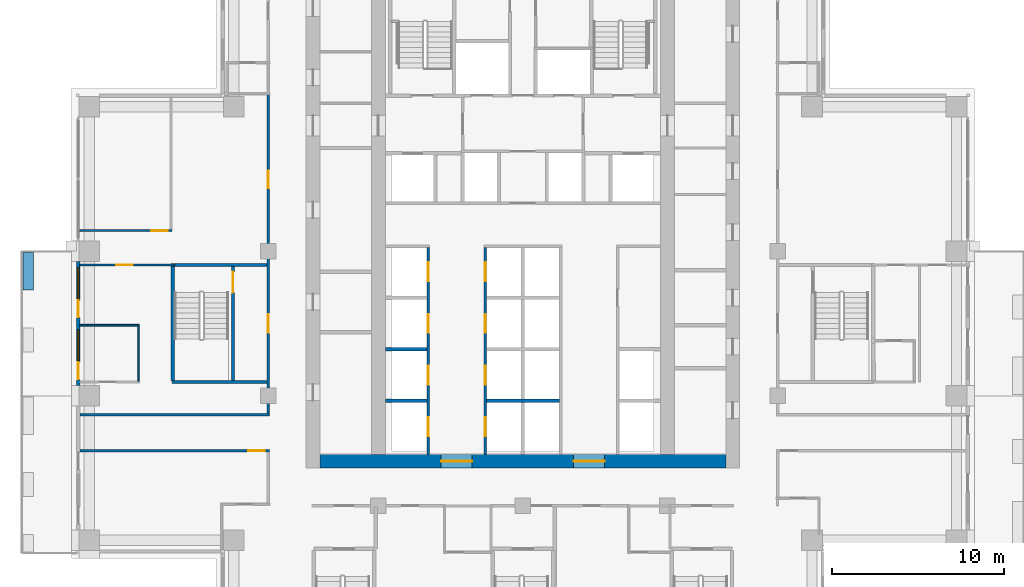
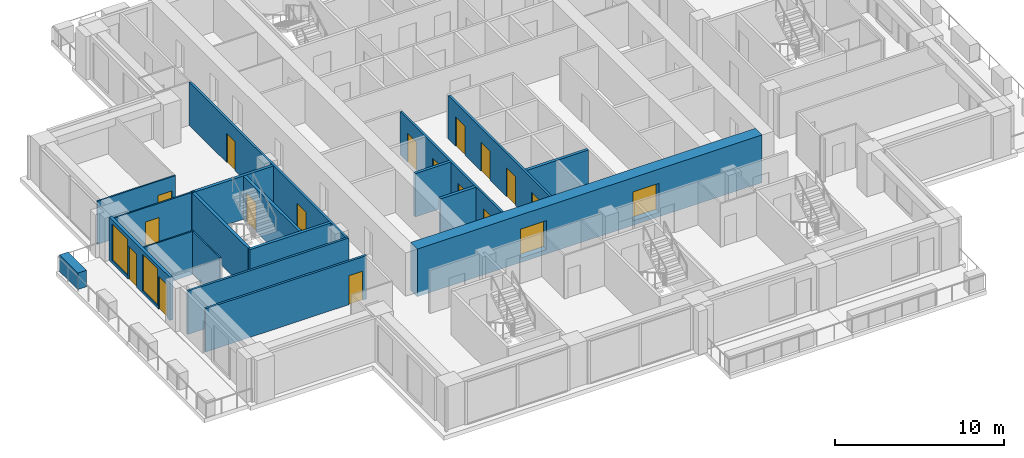
# One storey, part 9 of 18: 19 walls, 18 doors, 2 windows, 20 openings.
"""IFC4 building model written with IfcOpenShell, lengths in metres."""

from ifc_helpers import new_model, si_unit, direction, frame, frame_2d, origin, place, context, subcontext, project, spatial, rectangle, extrude, material, layer, layer_set, type_object, element, fill, save


model = new_model("IFC4")

# Units and contexts
model_context = context("Model", 3, precision=1e-05, world=origin(), true_north=direction((0.0, 1.0)))
body_context = subcontext(model_context, "Body", "Model", "MODEL_VIEW")
ifc_project = project(units=[si_unit("LENGTHUNIT", "METRE"), si_unit("AREAUNIT", "SQUARE_METRE"), si_unit("VOLUMEUNIT", "CUBIC_METRE"), si_unit("PLANEANGLEUNIT", "RADIAN"), si_unit("MASSUNIT", "GRAM", prefix="KILO")], contexts=[model_context])

# Site, building, storey
site_placement = place(None, origin())
site = spatial("IfcSite", under=ifc_project, at=site_placement, CompositionType="ELEMENT")
building_placement = place(site_placement, origin())
building = spatial("IfcBuilding", under=site, at=building_placement, Name="Vermilion Ogive Tower", CompositionType="ELEMENT")
storey_placement = place(building_placement, frame((0.0, 0.0, 108.0)))
storey = spatial("IfcBuildingStorey", under=building, at=storey_placement, Name="L27", CompositionType="ELEMENT", Elevation=108.0)

# Wall, openings, doors
ifc_material_1 = material(Name="Concrete B80", Category="concrete")
ifc_layer_1 = layer(ifc_material_1, 0.800048828125)
ifc_layer_set_1 = layer_set([ifc_layer_1], Name="Core wall 800 B80")
wall_type_1 = type_object("IfcWallType", Name="Core wall 800 B80", PredefinedType="SHEAR", material=ifc_layer_set_1)
wall_1_placement = place(storey_placement, frame((-11.800048828125, -8.0, -0.320068359375), z_axis=(0.0, 0.0, 1.0), x_axis=(1.0, 0.0, 0.0)))
wall_1 = element("IfcWall", 1, at=wall_1_placement, inside=storey, type_object=wall_type_1, Name="L27-CORE-S", PredefinedType="SHEAR", context=body_context, shape_type="SweptSolid", body=[
    extrude(rectangle(XDim=23.60009765625, YDim=0.800048828125, at=frame_2d((11.800048828125, 0.0))), origin(), (0.0, 0.0, 1.0), 3.449951171875),
])
opening_1_placement = place(wall_1_placement, frame((7.050048828125, 0.0, 0.320068359375)))
opening_1 = element("IfcOpeningElement", 2, at=opening_1_placement, cuts=wall_1, Name="Opening DAH019", PredefinedType="OPENING", context=body_context, shape_type="SweptSolid", body=[
    extrude(rectangle(XDim=1.800048828125, YDim=2.10009765625, at=frame_2d((0.89990234375, 1.050048828125))), frame((0.0, 0.409912109375, 0.0), z_axis=(0.0, -1.0, 0.0), x_axis=(1.0, 0.0, 0.0)), (0.0, 0.0, 1.0), 0.820068359375),
])
opening_2_placement = place(wall_1_placement, frame((14.75, 0.0, 0.320068359375)))
opening_2 = element("IfcOpeningElement", 3, at=opening_2_placement, cuts=wall_1, Name="Opening DAH020", PredefinedType="OPENING", context=body_context, shape_type="SweptSolid", body=[
    extrude(rectangle(XDim=1.800048828125, YDim=2.10009765625, at=frame_2d((0.89990234375, 1.050048828125))), frame((0.0, 0.409912109375, 0.0), z_axis=(0.0, -1.0, 0.0), x_axis=(1.0, 0.0, 0.0)), (0.0, 0.0, 1.0), 0.820068359375),
])
ifc_material_2 = material(Name="Timber door leaf", Category="wood")
door_type_1 = type_object("IfcDoorType", Name="Core entry door 1800 x 2100 FD60S", OperationType="DOUBLE_DOOR_SINGLE_SWING", PredefinedType="DOOR", material=ifc_material_2)
door_1_placement = place(opening_1_placement, origin())
door_1 = element("IfcDoor", 4, at=door_1_placement, inside=storey, type_object=door_type_1, Name="L27-CK-XD1", OperationType="SINGLE_SWING_LEFT", OverallHeight=2.10009765625, OverallWidth=1.800048828125, PredefinedType="DOOR", context=body_context, shape_type="SweptSolid", body=[
    extrude(rectangle(XDim=1.800048828125, YDim=2.10009765625, at=frame_2d((0.89990234375, 1.050048828125))), frame((0.0, 0.02490234375, 0.0), z_axis=(0.0, -1.0, 0.0), x_axis=(1.0, 0.0, 0.0)), (0.0, 0.0, 1.0), 0.050048828125),
])
fill(opening_1, door_1)
door_2_placement = place(opening_2_placement, origin())
door_2 = element("IfcDoor", 5, at=door_2_placement, inside=storey, type_object=door_type_1, Name="L27-CK-XD2", OperationType="SINGLE_SWING_LEFT", OverallHeight=2.10009765625, OverallWidth=1.800048828125, PredefinedType="DOOR", context=body_context, shape_type="SweptSolid", body=[
    extrude(rectangle(XDim=1.800048828125, YDim=2.10009765625, at=frame_2d((0.89990234375, 1.050048828125))), frame((0.0, 0.02490234375, 0.0), z_axis=(0.0, -1.0, 0.0), x_axis=(1.0, 0.0, 0.0)), (0.0, 0.0, 1.0), 0.050048828125),
])
fill(opening_2, door_2)

# Walls
ifc_material_3 = material(Name="Gypsum board partition on steel studs", Category="steel")
ifc_layer_2 = layer(ifc_material_3, 0.10009765625)
ifc_layer_set_2 = layer_set([ifc_layer_2], Name="Partition 100 bath")
wall_type_2 = type_object("IfcWallType", Name="Partition 100 bath", PredefinedType="PARTITIONING", material=ifc_layer_set_2)
wall_2_placement = place(storey_placement, frame((-25.75, -0.10009765625, 0.0), z_axis=(0.0, 0.0, 1.0), x_axis=(1.0, 0.0, 0.0)))
element("IfcWall", 6, at=wall_2_placement, inside=storey, type_object=wall_type_2, Name="L27-W-W023", PredefinedType="PARTITIONING", context=body_context, shape_type="SweptSolid", body=[
    extrude(rectangle(XDim=3.447998046875, YDim=0.10009765625, at=frame_2d((1.72412109375, 0.0))), origin(), (0.0, 0.0, 1.0), 3.1298828125),
])
wall_3_placement = place(storey_placement, frame((-22.35009765625, -3.347900390625, 0.0), z_axis=(0.0, 0.0, 1.0), x_axis=(0.0, 1.0, 0.0)))
element("IfcWall", 7, at=wall_3_placement, inside=storey, type_object=wall_type_2, Name="L27-W-W035", PredefinedType="PARTITIONING", context=body_context, shape_type="SweptSolid", body=[
    extrude(rectangle(XDim=3.19580078125, YDim=0.10009765625, at=frame_2d((1.597900390625, 0.0))), origin(), (0.0, 0.0, 1.0), 3.1298828125),
])

# Wall, opening, door
ifc_material_4 = material(Name="Gypsum board partition on steel studs", Category="steel")
ifc_layer_3 = layer(ifc_material_4, 0.10009765625)
ifc_layer_set_3 = layer_set([ifc_layer_3], Name="Partition 100 inner")
wall_type_3 = type_object("IfcWallType", Name="Partition 100 inner", PredefinedType="PARTITIONING", material=ifc_layer_set_3)
wall_4_placement = place(storey_placement, frame((-25.75, 3.39990234375, 0.0), z_axis=(0.0, 0.0, 1.0), x_axis=(1.0, 0.0, 0.0)))
wall_4 = element("IfcWall", 8, at=wall_4_placement, inside=storey, type_object=wall_type_3, Name="L27-W-W024", PredefinedType="PARTITIONING", context=body_context, shape_type="SweptSolid", body=[
    extrude(rectangle(XDim=5.5, YDim=0.10009765625, at=frame_2d((2.75, 0.0))), origin(), (0.0, 0.0, 1.0), 3.1298828125),
])
opening_3_placement = place(wall_4_placement, frame((2.125, 0.0, 0.0)))
opening_3 = element("IfcOpeningElement", 9, at=opening_3_placement, cuts=wall_4, Name="Opening D2G4005", PredefinedType="OPENING", context=body_context, shape_type="SweptSolid", body=[
    extrude(rectangle(XDim=0.949951171875, YDim=2.10009765625, at=frame_2d((0.47509765625, 1.050048828125))), frame((0.0, 0.06005859375, 0.0), z_axis=(0.0, -1.0, 0.0), x_axis=(1.0, 0.0, 0.0)), (0.0, 0.0, 1.0), 0.1201171875),
])
ifc_material_5 = material(Name="Timber door leaf", Category="wood")
door_type_2 = type_object("IfcDoorType", Name="Inner door 950 x 2100 FD30", OperationType="SINGLE_SWING_LEFT", PredefinedType="DOOR", material=ifc_material_5)
door_3_placement = place(opening_3_placement, origin())
door_3 = element("IfcDoor", 10, at=door_3_placement, inside=storey, type_object=door_type_2, Name="L27-D-D005", OperationType="SINGLE_SWING_LEFT", OverallHeight=2.10009765625, OverallWidth=0.949951171875, PredefinedType="DOOR", context=body_context, shape_type="SweptSolid", body=[
    extrude(rectangle(XDim=0.949951171875, YDim=2.10009765625, at=frame_2d((0.47509765625, 1.050048828125))), frame((0.0, 0.02490234375, 0.0), z_axis=(0.0, -1.0, 0.0), x_axis=(1.0, 0.0, 0.0)), (0.0, 0.0, 1.0), 0.050048828125),
])
fill(opening_3, door_3)

wall_5_placement = place(storey_placement, frame((-25.75, 5.39990234375, 0.0), z_axis=(0.0, 0.0, 1.0), x_axis=(1.0, 0.0, 0.0)))
wall_5 = element("IfcWall", 11, at=wall_5_placement, inside=storey, type_object=wall_type_3, Name="L27-W-W028", PredefinedType="PARTITIONING", context=body_context, shape_type="SweptSolid", body=[
    extrude(rectangle(XDim=5.35009765625, YDim=0.10009765625, at=frame_2d((2.675048828125, 0.0))), origin(), (0.0, 0.0, 1.0), 3.1298828125),
])
opening_4_placement = place(wall_5_placement, frame((4.14990234375, 0.0, 0.0)))
opening_4 = element("IfcOpeningElement", 12, at=opening_4_placement, cuts=wall_5, Name="Opening D2G4003", PredefinedType="OPENING", context=body_context, shape_type="SweptSolid", body=[
    extrude(rectangle(XDim=0.949951171875, YDim=2.10009765625, at=frame_2d((0.47509765625, 1.050048828125))), frame((0.0, 0.06005859375, 0.0), z_axis=(0.0, -1.0, 0.0), x_axis=(1.0, 0.0, 0.0)), (0.0, 0.0, 1.0), 0.1201171875),
])
door_4_placement = place(opening_4_placement, origin())
door_4 = element("IfcDoor", 13, at=door_4_placement, inside=storey, type_object=door_type_2, Name="L27-D-D003", OperationType="SINGLE_SWING_LEFT", OverallHeight=2.10009765625, OverallWidth=0.949951171875, PredefinedType="DOOR", context=body_context, shape_type="SweptSolid", body=[
    extrude(rectangle(XDim=0.949951171875, YDim=2.10009765625, at=frame_2d((0.47509765625, 1.050048828125))), frame((0.0, 0.02490234375, 0.0), z_axis=(0.0, -1.0, 0.0), x_axis=(1.0, 0.0, 0.0)), (0.0, 0.0, 1.0), 0.050048828125),
])
fill(opening_4, door_4)

ifc_material_6 = material(Name="Gypsum board partition on steel studs", Category="steel")
ifc_layer_4 = layer(ifc_material_6, 0.14990234375)
ifc_layer_set_4 = layer_set([ifc_layer_4], Name="Partition 150 corridor")
wall_type_4 = type_object("IfcWallType", Name="Partition 150 corridor", PredefinedType="PARTITIONING", material=ifc_layer_set_4)
wall_6_placement = place(storey_placement, frame((-25.75, -7.39990234375, 0.0), z_axis=(0.0, 0.0, 1.0), x_axis=(1.0, 0.0, 0.0)))
wall_6 = element("IfcWall", 14, at=wall_6_placement, inside=storey, type_object=wall_type_4, Name="L27-W-W014", PredefinedType="PARTITIONING", context=body_context, shape_type="SweptSolid", body=[
    extrude(rectangle(XDim=11.02490234375, YDim=0.14990234375, at=frame_2d((5.512451171875, 0.0))), origin(), (0.0, 0.0, 1.0), 3.1298828125),
])
opening_5_placement = place(wall_6_placement, frame((9.800048828125, 0.0, 0.0)))
opening_5 = element("IfcOpeningElement", 15, at=opening_5_placement, cuts=wall_6, Name="Opening D2G4001", PredefinedType="OPENING", context=body_context, shape_type="SweptSolid", body=[
    extrude(rectangle(XDim=0.949951171875, YDim=2.10009765625, at=frame_2d((0.47509765625, 1.050048828125))), frame((0.0, 0.0849609375, 0.0), z_axis=(0.0, -1.0, 0.0), x_axis=(1.0, 0.0, 0.0)), (0.0, 0.0, 1.0), 0.169921875),
])
ifc_material_7 = material(Name="Timber door leaf", Category="wood")
door_type_3 = type_object("IfcDoorType", Name="Unit door 950 x 2100 FD30S", OperationType="SINGLE_SWING_LEFT", PredefinedType="DOOR", material=ifc_material_7)
door_5_placement = place(opening_5_placement, origin())
door_5 = element("IfcDoor", 16, at=door_5_placement, inside=storey, type_object=door_type_3, Name="L27-D-D001", OperationType="SINGLE_SWING_RIGHT", OverallHeight=2.10009765625, OverallWidth=0.949951171875, PredefinedType="DOOR", context=body_context, shape_type="SweptSolid", body=[
    extrude(rectangle(XDim=0.949951171875, YDim=2.10009765625, at=frame_2d((0.47509765625, 1.050048828125))), frame((0.0, 0.02490234375, 0.0), z_axis=(0.0, -1.0, 0.0), x_axis=(1.0, 0.0, 0.0)), (0.0, 0.0, 1.0), 0.050048828125),
])
fill(opening_5, door_5)

# Wall
wall_7_placement = place(storey_placement, frame((-25.75, -5.300048828125, 0.0), z_axis=(0.0, 0.0, 1.0), x_axis=(1.0, 0.0, 0.0)))
element("IfcWall", 17, at=wall_7_placement, inside=storey, type_object=wall_type_4, Name="L27-W-W016", PredefinedType="PARTITIONING", context=body_context, shape_type="SweptSolid", body=[
    extrude(rectangle(XDim=11.02294921875, YDim=0.14990234375, at=frame_2d((5.511474609375, 0.0))), origin(), (0.0, 0.0, 1.0), 3.1298828125),
])

# Wall, openings, doors
wall_8_placement = place(storey_placement, frame((-14.800048828125, -5.222900390625, 0.0), z_axis=(0.0, 0.0, 1.0), x_axis=(0.0, 1.0, 0.0)))
wall_8 = element("IfcWall", 18, at=wall_8_placement, inside=storey, type_object=wall_type_4, Name="L27-W-W042", PredefinedType="PARTITIONING", context=body_context, shape_type="SweptSolid", body=[
    extrude(rectangle(XDim=18.52294921875, YDim=0.14990234375, at=frame_2d((9.261474609375, 0.0))), origin(), (0.0, 0.0, 1.0), 3.1298828125),
])
opening_6_placement = place(wall_8_placement, frame((13.097900390625, 0.0, 0.0)))
opening_6 = element("IfcOpeningElement", 19, at=opening_6_placement, cuts=wall_8, Name="Opening D2G4004", PredefinedType="OPENING", context=body_context, shape_type="SweptSolid", body=[
    extrude(rectangle(XDim=1.0, YDim=2.10009765625, at=frame_2d((0.5, 1.050048828125))), frame((0.0, 0.0849609375, 0.0), z_axis=(0.0, -1.0, 0.0), x_axis=(1.0, 0.0, 0.0)), (0.0, 0.0, 1.0), 0.169921875),
])
opening_7_placement = place(wall_8_placement, frame((4.6728515625, 0.0, 0.0)))
opening_7 = element("IfcOpeningElement", 20, at=opening_7_placement, cuts=wall_8, Name="Opening D2G4029", PredefinedType="OPENING", context=body_context, shape_type="SweptSolid", body=[
    extrude(rectangle(XDim=1.10009765625, YDim=2.10009765625, at=frame_2d((0.550048828125, 1.050048828125))), frame((0.0, 0.0849609375, 0.0), z_axis=(0.0, -1.0, 0.0), x_axis=(1.0, 0.0, 0.0)), (0.0, 0.0, 1.0), 0.169921875),
])
ifc_material_8 = material(Name="Timber door leaf", Category="wood")
door_type_4 = type_object("IfcDoorType", Name="Stair door 1100 x 2100 FD60S", OperationType="SINGLE_SWING_LEFT", PredefinedType="DOOR", material=ifc_material_8)
door_6_placement = place(opening_7_placement, origin())
door_6 = element("IfcDoor", 21, at=door_6_placement, inside=storey, type_object=door_type_4, Name="L27-D-D029", OperationType="SINGLE_SWING_LEFT", OverallHeight=2.10009765625, OverallWidth=1.10009765625, PredefinedType="DOOR", context=body_context, shape_type="SweptSolid", body=[
    extrude(rectangle(XDim=1.10009765625, YDim=2.10009765625, at=frame_2d((0.550048828125, 1.050048828125))), frame((0.0, 0.02490234375, 0.0), z_axis=(0.0, -1.0, 0.0), x_axis=(1.0, 0.0, 0.0)), (0.0, 0.0, 1.0), 0.050048828125),
])
fill(opening_7, door_6)
ifc_material_9 = material(Name="Timber door leaf", Category="wood")
door_type_5 = type_object("IfcDoorType", Name="Unit door 1000 x 2100 FD30S", OperationType="SINGLE_SWING_LEFT", PredefinedType="DOOR", material=ifc_material_9)
door_7_placement = place(opening_6_placement, origin())
door_7 = element("IfcDoor", 22, at=door_7_placement, inside=storey, type_object=door_type_5, Name="L27-D-D004", OperationType="SINGLE_SWING_LEFT", OverallHeight=2.10009765625, OverallWidth=1.0, PredefinedType="DOOR", context=body_context, shape_type="SweptSolid", body=[
    extrude(rectangle(XDim=1.0, YDim=2.10009765625, at=frame_2d((0.5, 1.050048828125))), frame((0.0, 0.02490234375, 0.0), z_axis=(0.0, -1.0, 0.0), x_axis=(1.0, 0.0, 0.0)), (0.0, 0.0, 1.0), 0.050048828125),
])
fill(opening_6, door_7)

wall_9_placement = place(storey_placement, frame((-5.5, -7.59912109375, 0.0), z_axis=(0.0, 0.0, 1.0), x_axis=(0.0, 1.0, 0.0)))
wall_9 = element("IfcWall", 23, at=wall_9_placement, inside=storey, type_object=wall_type_4, Name="L27-CK-W-W021", PredefinedType="PARTITIONING", context=body_context, shape_type="SweptSolid", body=[
    extrude(rectangle(XDim=12.024169921875, YDim=0.14990234375, at=frame_2d((6.01220703125, 0.0))), origin(), (0.0, 0.0, 1.0), 3.1298828125),
])
opening_8_placement = place(wall_9_placement, frame((1.049072265625, 0.0, 0.0)))
opening_8 = element("IfcOpeningElement", 24, at=opening_8_placement, cuts=wall_9, Name="Opening DAA218", PredefinedType="OPENING", context=body_context, shape_type="SweptSolid", body=[
    extrude(rectangle(XDim=1.10009765625, YDim=2.10009765625, at=frame_2d((0.550048828125, 1.050048828125))), frame((0.0, 0.0849609375, 0.0), z_axis=(0.0, -1.0, 0.0), x_axis=(1.0, 0.0, 0.0)), (0.0, 0.0, 1.0), 0.169921875),
])
opening_9_placement = place(wall_9_placement, frame((4.049072265625, 0.0, 0.0)))
opening_9 = element("IfcOpeningElement", 25, at=opening_9_placement, cuts=wall_9, Name="Opening DAA221", PredefinedType="OPENING", context=body_context, shape_type="SweptSolid", body=[
    extrude(rectangle(XDim=1.10009765625, YDim=2.10009765625, at=frame_2d((0.550048828125, 1.050048828125))), frame((0.0, 0.0849609375, 0.0), z_axis=(0.0, -1.0, 0.0), x_axis=(1.0, 0.0, 0.0)), (0.0, 0.0, 1.0), 0.169921875),
])
opening_10_placement = place(wall_9_placement, frame((7.049072265625, 0.0, 0.0)))
opening_10 = element("IfcOpeningElement", 26, at=opening_10_placement, cuts=wall_9, Name="Opening DAA222", PredefinedType="OPENING", context=body_context, shape_type="SweptSolid", body=[
    extrude(rectangle(XDim=1.10009765625, YDim=2.10009765625, at=frame_2d((0.550048828125, 1.050048828125))), frame((0.0, 0.0849609375, 0.0), z_axis=(0.0, -1.0, 0.0), x_axis=(1.0, 0.0, 0.0)), (0.0, 0.0, 1.0), 0.169921875),
])
opening_11_placement = place(wall_9_placement, frame((10.049072265625, 0.0, 0.0)))
opening_11 = element("IfcOpeningElement", 27, at=opening_11_placement, cuts=wall_9, Name="Opening DAA223", PredefinedType="OPENING", context=body_context, shape_type="SweptSolid", body=[
    extrude(rectangle(XDim=1.10009765625, YDim=2.10009765625, at=frame_2d((0.550048828125, 1.050048828125))), frame((0.0, 0.0849609375, 0.0), z_axis=(0.0, -1.0, 0.0), x_axis=(1.0, 0.0, 0.0)), (0.0, 0.0, 1.0), 0.169921875),
])
ifc_material_10 = material(Name="Stainless steel", Category="steel")
door_type_6 = type_object("IfcDoorType", Name="Lift landing door 1100 x 2100", OperationType="SLIDING_TO_LEFT", PredefinedType="DOOR", material=ifc_material_10)
door_8_placement = place(opening_8_placement, origin())
door_8 = element("IfcDoor", 28, at=door_8_placement, inside=storey, type_object=door_type_6, Name="L27-CK-D-D001", OperationType="SLIDING_TO_LEFT", OverallHeight=2.10009765625, OverallWidth=1.10009765625, PredefinedType="DOOR", context=body_context, shape_type="SweptSolid", body=[
    extrude(rectangle(XDim=1.10009765625, YDim=2.10009765625, at=frame_2d((0.550048828125, 1.050048828125))), frame((0.0, 0.02490234375, 0.0), z_axis=(0.0, -1.0, 0.0), x_axis=(1.0, 0.0, 0.0)), (0.0, 0.0, 1.0), 0.050048828125),
])
fill(opening_8, door_8)
door_9_placement = place(opening_9_placement, origin())
door_9 = element("IfcDoor", 29, at=door_9_placement, inside=storey, type_object=door_type_6, Name="L27-CK-D-D002", OperationType="SLIDING_TO_LEFT", OverallHeight=2.10009765625, OverallWidth=1.10009765625, PredefinedType="DOOR", context=body_context, shape_type="SweptSolid", body=[
    extrude(rectangle(XDim=1.10009765625, YDim=2.10009765625, at=frame_2d((0.550048828125, 1.050048828125))), frame((0.0, 0.02490234375, 0.0), z_axis=(0.0, -1.0, 0.0), x_axis=(1.0, 0.0, 0.0)), (0.0, 0.0, 1.0), 0.050048828125),
])
fill(opening_9, door_9)
door_10_placement = place(opening_10_placement, origin())
door_10 = element("IfcDoor", 30, at=door_10_placement, inside=storey, type_object=door_type_6, Name="L27-CK-D-D003", OperationType="SLIDING_TO_LEFT", OverallHeight=2.10009765625, OverallWidth=1.10009765625, PredefinedType="DOOR", context=body_context, shape_type="SweptSolid", body=[
    extrude(rectangle(XDim=1.10009765625, YDim=2.10009765625, at=frame_2d((0.550048828125, 1.050048828125))), frame((0.0, 0.02490234375, 0.0), z_axis=(0.0, -1.0, 0.0), x_axis=(1.0, 0.0, 0.0)), (0.0, 0.0, 1.0), 0.050048828125),
])
fill(opening_10, door_10)
door_11_placement = place(opening_11_placement, origin())
door_11 = element("IfcDoor", 31, at=door_11_placement, inside=storey, type_object=door_type_6, Name="L27-CK-D-D004", OperationType="SLIDING_TO_LEFT", OverallHeight=2.10009765625, OverallWidth=1.10009765625, PredefinedType="DOOR", context=body_context, shape_type="SweptSolid", body=[
    extrude(rectangle(XDim=1.10009765625, YDim=2.10009765625, at=frame_2d((0.550048828125, 1.050048828125))), frame((0.0, 0.02490234375, 0.0), z_axis=(0.0, -1.0, 0.0), x_axis=(1.0, 0.0, 0.0)), (0.0, 0.0, 1.0), 0.050048828125),
])
fill(opening_11, door_11)

wall_10_placement = place(storey_placement, frame((-2.199951171875, -7.59912109375, 0.0), z_axis=(0.0, 0.0, 1.0), x_axis=(0.0, 1.0, 0.0)))
wall_10 = element("IfcWall", 32, at=wall_10_placement, inside=storey, type_object=wall_type_4, Name="L27-CK-W-W026", PredefinedType="PARTITIONING", context=body_context, shape_type="SweptSolid", body=[
    extrude(rectangle(XDim=12.024169921875, YDim=0.14990234375, at=frame_2d((6.01220703125, 0.0))), origin(), (0.0, 0.0, 1.0), 3.1298828125),
])
opening_12_placement = place(wall_10_placement, frame((1.049072265625, 0.0, 0.0)))
opening_12 = element("IfcOpeningElement", 33, at=opening_12_placement, cuts=wall_10, Name="Opening DAA224", PredefinedType="OPENING", context=body_context, shape_type="SweptSolid", body=[
    extrude(rectangle(XDim=1.10009765625, YDim=2.10009765625, at=frame_2d((0.550048828125, 1.050048828125))), frame((0.0, 0.0849609375, 0.0), z_axis=(0.0, -1.0, 0.0), x_axis=(1.0, 0.0, 0.0)), (0.0, 0.0, 1.0), 0.169921875),
])
opening_13_placement = place(wall_10_placement, frame((4.049072265625, 0.0, 0.0)))
opening_13 = element("IfcOpeningElement", 34, at=opening_13_placement, cuts=wall_10, Name="Opening DAA225", PredefinedType="OPENING", context=body_context, shape_type="SweptSolid", body=[
    extrude(rectangle(XDim=1.10009765625, YDim=2.10009765625, at=frame_2d((0.550048828125, 1.050048828125))), frame((0.0, 0.0849609375, 0.0), z_axis=(0.0, -1.0, 0.0), x_axis=(1.0, 0.0, 0.0)), (0.0, 0.0, 1.0), 0.169921875),
])
opening_14_placement = place(wall_10_placement, frame((7.049072265625, 0.0, 0.0)))
opening_14 = element("IfcOpeningElement", 35, at=opening_14_placement, cuts=wall_10, Name="Opening DAA226", PredefinedType="OPENING", context=body_context, shape_type="SweptSolid", body=[
    extrude(rectangle(XDim=1.10009765625, YDim=2.10009765625, at=frame_2d((0.550048828125, 1.050048828125))), frame((0.0, 0.0849609375, 0.0), z_axis=(0.0, -1.0, 0.0), x_axis=(1.0, 0.0, 0.0)), (0.0, 0.0, 1.0), 0.169921875),
])
opening_15_placement = place(wall_10_placement, frame((10.049072265625, 0.0, 0.0)))
opening_15 = element("IfcOpeningElement", 36, at=opening_15_placement, cuts=wall_10, Name="Opening DAA227", PredefinedType="OPENING", context=body_context, shape_type="SweptSolid", body=[
    extrude(rectangle(XDim=1.10009765625, YDim=2.10009765625, at=frame_2d((0.550048828125, 1.050048828125))), frame((0.0, 0.0849609375, 0.0), z_axis=(0.0, -1.0, 0.0), x_axis=(1.0, 0.0, 0.0)), (0.0, 0.0, 1.0), 0.169921875),
])
door_12_placement = place(opening_12_placement, origin())
door_12 = element("IfcDoor", 37, at=door_12_placement, inside=storey, type_object=door_type_6, Name="L27-CK-D-D005", OperationType="SLIDING_TO_LEFT", OverallHeight=2.10009765625, OverallWidth=1.10009765625, PredefinedType="DOOR", context=body_context, shape_type="SweptSolid", body=[
    extrude(rectangle(XDim=1.10009765625, YDim=2.10009765625, at=frame_2d((0.550048828125, 1.050048828125))), frame((0.0, 0.02490234375, 0.0), z_axis=(0.0, -1.0, 0.0), x_axis=(1.0, 0.0, 0.0)), (0.0, 0.0, 1.0), 0.050048828125),
])
fill(opening_12, door_12)
door_13_placement = place(opening_13_placement, origin())
door_13 = element("IfcDoor", 38, at=door_13_placement, inside=storey, type_object=door_type_6, Name="L27-CK-D-D006", OperationType="SLIDING_TO_LEFT", OverallHeight=2.10009765625, OverallWidth=1.10009765625, PredefinedType="DOOR", context=body_context, shape_type="SweptSolid", body=[
    extrude(rectangle(XDim=1.10009765625, YDim=2.10009765625, at=frame_2d((0.550048828125, 1.050048828125))), frame((0.0, 0.02490234375, 0.0), z_axis=(0.0, -1.0, 0.0), x_axis=(1.0, 0.0, 0.0)), (0.0, 0.0, 1.0), 0.050048828125),
])
fill(opening_13, door_13)
door_14_placement = place(opening_14_placement, origin())
door_14 = element("IfcDoor", 39, at=door_14_placement, inside=storey, type_object=door_type_6, Name="L27-CK-D-D007", OperationType="SLIDING_TO_LEFT", OverallHeight=2.10009765625, OverallWidth=1.10009765625, PredefinedType="DOOR", context=body_context, shape_type="SweptSolid", body=[
    extrude(rectangle(XDim=1.10009765625, YDim=2.10009765625, at=frame_2d((0.550048828125, 1.050048828125))), frame((0.0, 0.02490234375, 0.0), z_axis=(0.0, -1.0, 0.0), x_axis=(1.0, 0.0, 0.0)), (0.0, 0.0, 1.0), 0.050048828125),
])
fill(opening_14, door_14)
door_15_placement = place(opening_15_placement, origin())
door_15 = element("IfcDoor", 40, at=door_15_placement, inside=storey, type_object=door_type_6, Name="L27-CK-D-D008", OperationType="SLIDING_TO_LEFT", OverallHeight=2.10009765625, OverallWidth=1.10009765625, PredefinedType="DOOR", context=body_context, shape_type="SweptSolid", body=[
    extrude(rectangle(XDim=1.10009765625, YDim=2.10009765625, at=frame_2d((0.550048828125, 1.050048828125))), frame((0.0, 0.02490234375, 0.0), z_axis=(0.0, -1.0, 0.0), x_axis=(1.0, 0.0, 0.0)), (0.0, 0.0, 1.0), 0.050048828125),
])
fill(opening_15, door_15)

# Walls
ifc_material_11 = material(Name="Gypsum board partition on steel studs", Category="steel")
ifc_layer_5 = layer(ifc_material_11, 0.199951171875)
ifc_layer_set_5 = layer_set([ifc_layer_5], Name="Partition 200 party")
wall_type_5 = type_object("IfcWallType", Name="Partition 200 party", PredefinedType="PARTITIONING", material=ifc_layer_set_5)
wall_11_placement = place(storey_placement, frame((-7.9990234375, -4.5, 0.0), z_axis=(0.0, 0.0, 1.0), x_axis=(1.0, 0.0, 0.0)))
element("IfcWall", 41, at=wall_11_placement, inside=storey, type_object=wall_type_5, Name="L27-CK-W-W001", PredefinedType="PARTITIONING", context=body_context, shape_type="SweptSolid", body=[
    extrude(rectangle(XDim=2.424072265625, YDim=0.199951171875, at=frame_2d((1.2119140625, 0.0))), origin(), (0.0, 0.0, 1.0), 3.1298828125),
])
wall_12_placement = place(storey_placement, frame((-2.125, -4.5, 0.0), z_axis=(0.0, 0.0, 1.0), x_axis=(1.0, 0.0, 0.0)))
element("IfcWall", 42, at=wall_12_placement, inside=storey, type_object=wall_type_5, Name="L27-CK-W-W002", PredefinedType="PARTITIONING", context=body_context, shape_type="SweptSolid", body=[
    extrude(rectangle(XDim=4.25, YDim=0.199951171875, at=frame_2d((2.125, 0.0))), origin(), (0.0, 0.0, 1.0), 3.1298828125),
])
wall_13_placement = place(storey_placement, frame((-7.9990234375, -1.5, 0.0), z_axis=(0.0, 0.0, 1.0), x_axis=(1.0, 0.0, 0.0)))
element("IfcWall", 43, at=wall_13_placement, inside=storey, type_object=wall_type_5, Name="L27-CK-W-W004", PredefinedType="PARTITIONING", context=body_context, shape_type="SweptSolid", body=[
    extrude(rectangle(XDim=2.424072265625, YDim=0.199951171875, at=frame_2d((1.2119140625, 0.0))), origin(), (0.0, 0.0, 1.0), 3.1298828125),
])
ifc_material_12 = material(Name="Concrete B60", Category="concrete")
ifc_layer_6 = layer(ifc_material_12, 0.199951171875)
ifc_layer_set_6 = layer_set([ifc_layer_6], Name="Stair shaft wall 200 Concrete B60")
wall_type_6 = type_object("IfcWallType", Name="Stair shaft wall 200 Concrete B60", PredefinedType="SOLIDWALL", material=ifc_layer_set_6)
wall_14_placement = place(storey_placement, frame((-20.39990234375, -3.39990234375, 0.0), z_axis=(0.0, 0.0, 1.0), x_axis=(1.0, 0.0, 0.0)))
element("IfcWall", 44, at=wall_14_placement, inside=storey, type_object=wall_type_6, Name="L27-W-W019", PredefinedType="SOLIDWALL", context=body_context, shape_type="SweptSolid", body=[
    extrude(rectangle(XDim=5.52294921875, YDim=0.199951171875, at=frame_2d((2.761474609375, 0.0))), origin(), (0.0, 0.0, 1.0), 3.1298828125),
])
wall_15_placement = place(storey_placement, frame((-20.449951171875, 3.39990234375, 0.0), z_axis=(0.0, 0.0, 1.0), x_axis=(1.0, 0.0, 0.0)))
element("IfcWall", 45, at=wall_15_placement, inside=storey, type_object=wall_type_6, Name="L27-W-W025", PredefinedType="SOLIDWALL", context=body_context, shape_type="SweptSolid", body=[
    extrude(rectangle(XDim=5.574951171875, YDim=0.199951171875, at=frame_2d((2.78759765625, 0.0))), origin(), (0.0, 0.0, 1.0), 3.1298828125),
])

# Wall, opening, door
wall_16_placement = place(storey_placement, frame((-16.85009765625, -3.300048828125, 0.0), z_axis=(0.0, 0.0, 1.0), x_axis=(0.0, 1.0, 0.0)))
wall_16 = element("IfcWall", 46, at=wall_16_placement, inside=storey, type_object=wall_type_6, Name="L27-W-W040", PredefinedType="SOLIDWALL", context=body_context, shape_type="SweptSolid", body=[
    extrude(rectangle(XDim=6.60009765625, YDim=0.199951171875, at=frame_2d((3.300048828125, 0.0))), origin(), (0.0, 0.0, 1.0), 3.1298828125),
])
opening_16_placement = place(wall_16_placement, frame((5.10009765625, 0.0, 0.0)))
opening_16 = element("IfcOpeningElement", 47, at=opening_16_placement, cuts=wall_16, Name="Opening D2G4030", PredefinedType="OPENING", context=body_context, shape_type="SweptSolid", body=[
    extrude(rectangle(XDim=1.199951171875, YDim=2.10009765625, at=frame_2d((0.60009765625, 1.050048828125))), frame((0.0, 0.10986328125, 0.0), z_axis=(0.0, -1.0, 0.0), x_axis=(1.0, 0.0, 0.0)), (0.0, 0.0, 1.0), 0.219970703125),
])
ifc_material_13 = material(Name="Timber door leaf", Category="wood")
door_type_7 = type_object("IfcDoorType", Name="Stair door 1200 x 2100 FD60S", OperationType="SINGLE_SWING_LEFT", PredefinedType="DOOR", material=ifc_material_13)
door_16_placement = place(opening_16_placement, origin())
door_16 = element("IfcDoor", 48, at=door_16_placement, inside=storey, type_object=door_type_7, Name="L27-D-D030", OperationType="SINGLE_SWING_RIGHT", OverallHeight=2.10009765625, OverallWidth=1.199951171875, PredefinedType="DOOR", context=body_context, shape_type="SweptSolid", body=[
    extrude(rectangle(XDim=1.199951171875, YDim=2.10009765625, at=frame_2d((0.60009765625, 1.050048828125))), frame((0.0, 0.02490234375, 0.0), z_axis=(0.0, -1.0, 0.0), x_axis=(1.0, 0.0, 0.0)), (0.0, 0.0, 1.0), 0.050048828125),
])
fill(opening_16, door_16)

# Walls
wall_17_placement = place(storey_placement, frame((-20.35009765625, -3.298095703125, 0.0), z_axis=(0.0, 0.0, 1.0), x_axis=(0.0, 1.0, 0.0)))
element("IfcWall", 49, at=wall_17_placement, inside=storey, type_object=wall_type_6, Name="L27-W-W037-A", PredefinedType="SOLIDWALL", context=body_context, shape_type="SweptSolid", body=[
    extrude(rectangle(XDim=6.59814453125, YDim=0.199951171875, at=frame_2d((3.299072265625, 0.0))), origin(), (0.0, 0.0, 1.0), 3.1298828125),
])
ifc_material_14 = material(Name="Concrete B40", Category="concrete")
ifc_layer_7 = layer(ifc_material_14, 0.60009765625)
ifc_layer_set_7 = layer_set([ifc_layer_7], Name="Structural planter")
wall_type_7 = type_object("IfcWallType", Name="Structural planter", PredefinedType="USERDEFINED", material=ifc_layer_set_7)
wall_18_placement = place(storey_placement, frame((-28.75, 4.139892578125, -0.0400390625), z_axis=(0.0, 0.0, 1.0), x_axis=(0.0, -1.0, 0.0)))
element("IfcWall", 50, at=wall_18_placement, inside=storey, type_object=wall_type_7, Name="Planter W02A1", ObjectType="PLANTER", PredefinedType="USERDEFINED", context=body_context, shape_type="SweptSolid", body=[
    extrude(rectangle(XDim=2.18994140625, YDim=0.60009765625, at=frame_2d((1.094970703125, 0.0))), origin(), (0.0, 0.0, 1.0), 1.199951171875),
])

# Wall, openings, doors, windows
ifc_material_15 = material(Name="Aluminium window wall framing", Category="aluminium")
ifc_layer_8 = layer(ifc_material_15, 0.199951171875)
ifc_layer_set_8 = layer_set([ifc_layer_8], Name="Window wall")
wall_type_8 = type_object("IfcWallType", Name="Window wall", PredefinedType="STANDARD", material=ifc_layer_set_8)
wall_19_placement = place(storey_placement, frame((-25.85009765625, 3.60009765625, 0.0), z_axis=(0.0, 0.0, 1.0), x_axis=(0.0, -1.0, 0.0)))
wall_19 = element("IfcWall", 51, at=wall_19_placement, inside=storey, type_object=wall_type_8, Name="Window wall W2", PredefinedType="STANDARD", context=body_context, shape_type="SweptSolid", body=[
    extrude(rectangle(XDim=7.2001953125, YDim=0.199951171875, at=frame_2d((3.60009765625, 0.0))), origin(), (0.0, 0.0, 1.0), 3.1298828125),
])
opening_17_placement = place(wall_19_placement, frame((3.949951171875, 0.0, 0.199951171875)))
opening_17 = element("IfcOpeningElement", 52, at=opening_17_placement, cuts=wall_19, Name="Opening W1-W99", PredefinedType="OPENING", context=body_context, shape_type="SweptSolid", body=[
    extrude(rectangle(XDim=1.800048828125, YDim=2.64990234375, at=frame_2d((0.89990234375, 1.324951171875))), frame((0.0, 0.10986328125, 0.0), z_axis=(0.0, -1.0, 0.0), x_axis=(1.0, 0.0, 0.0)), (0.0, 0.0, 1.0), 0.219970703125),
])
opening_18_placement = place(wall_19_placement, frame((5.85009765625, 0.0, 0.0)))
opening_18 = element("IfcOpeningElement", 53, at=opening_18_placement, cuts=wall_19, Name="Opening D1-W99", PredefinedType="OPENING", context=body_context, shape_type="SweptSolid", body=[
    extrude(rectangle(XDim=1.0, YDim=2.39990234375, at=frame_2d((0.5, 1.199951171875))), frame((0.0, 0.10986328125, 0.0), z_axis=(0.0, -1.0, 0.0), x_axis=(1.0, 0.0, 0.0)), (0.0, 0.0, 1.0), 0.219970703125),
])
opening_19_placement = place(wall_19_placement, frame((0.35009765625, 0.0, 0.199951171875)))
opening_19 = element("IfcOpeningElement", 54, at=opening_19_placement, cuts=wall_19, Name="Opening W1-W00", PredefinedType="OPENING", context=body_context, shape_type="SweptSolid", body=[
    extrude(rectangle(XDim=1.800048828125, YDim=2.64990234375, at=frame_2d((0.89990234375, 1.324951171875))), frame((0.0, 0.10986328125, 0.0), z_axis=(0.0, -1.0, 0.0), x_axis=(1.0, 0.0, 0.0)), (0.0, 0.0, 1.0), 0.219970703125),
])
opening_20_placement = place(wall_19_placement, frame((2.25, 0.0, 0.0)))
opening_20 = element("IfcOpeningElement", 55, at=opening_20_placement, cuts=wall_19, Name="Opening D1-W00", PredefinedType="OPENING", context=body_context, shape_type="SweptSolid", body=[
    extrude(rectangle(XDim=1.0, YDim=2.39990234375, at=frame_2d((0.5, 1.199951171875))), frame((0.0, 0.10986328125, 0.0), z_axis=(0.0, -1.0, 0.0), x_axis=(1.0, 0.0, 0.0)), (0.0, 0.0, 1.0), 0.219970703125),
])
ifc_material_16 = material(Name="Aluminium framed glazed door", Category="aluminium")
door_type_8 = type_object("IfcDoorType", Name="Balcony door D1", OperationType="SINGLE_SWING_LEFT", PredefinedType="DOOR", material=ifc_material_16)
door_17_placement = place(opening_18_placement, origin())
door_17 = element("IfcDoor", 56, at=door_17_placement, inside=storey, type_object=door_type_8, Name="Balcony door W99", OperationType="SINGLE_SWING_LEFT", OverallHeight=2.39990234375, OverallWidth=1.0, PredefinedType="DOOR", context=body_context, shape_type="SweptSolid", body=[
    extrude(rectangle(XDim=1.0, YDim=2.39990234375, at=frame_2d((0.5, 1.199951171875))), frame((0.0, 0.02490234375, 0.0), z_axis=(0.0, -1.0, 0.0), x_axis=(1.0, 0.0, 0.0)), (0.0, 0.0, 1.0), 0.050048828125),
])
fill(opening_18, door_17)
door_18_placement = place(opening_20_placement, origin())
door_18 = element("IfcDoor", 57, at=door_18_placement, inside=storey, type_object=door_type_8, Name="Balcony door W00", OperationType="SINGLE_SWING_LEFT", OverallHeight=2.39990234375, OverallWidth=1.0, PredefinedType="DOOR", context=body_context, shape_type="SweptSolid", body=[
    extrude(rectangle(XDim=1.0, YDim=2.39990234375, at=frame_2d((0.5, 1.199951171875))), frame((0.0, 0.02490234375, 0.0), z_axis=(0.0, -1.0, 0.0), x_axis=(1.0, 0.0, 0.0)), (0.0, 0.0, 1.0), 0.050048828125),
])
fill(opening_20, door_18)
ifc_material_17 = material(Name="Aluminium framed double glazing", Category="aluminium")
window_type = type_object("IfcWindowType", Name="Guest window W1", PartitioningType="SINGLE_PANEL", PredefinedType="WINDOW", material=ifc_material_17)
window_1_placement = place(opening_17_placement, origin())
window_1 = element("IfcWindow", 58, at=window_1_placement, inside=storey, type_object=window_type, Name="Window W99", OverallHeight=2.64990234375, OverallWidth=1.800048828125, PartitioningType="SINGLE_PANEL", PredefinedType="WINDOW", context=body_context, shape_type="SweptSolid", body=[
    extrude(rectangle(XDim=1.800048828125, YDim=2.64990234375, at=frame_2d((0.89990234375, 1.324951171875))), frame((0.0, 0.030029296875, 0.0), z_axis=(0.0, -1.0, 0.0), x_axis=(1.0, 0.0, 0.0)), (0.0, 0.0, 1.0), 0.06005859375),
])
fill(opening_17, window_1)
window_2_placement = place(opening_19_placement, origin())
window_2 = element("IfcWindow", 59, at=window_2_placement, inside=storey, type_object=window_type, Name="Window W00", OverallHeight=2.64990234375, OverallWidth=1.800048828125, PartitioningType="SINGLE_PANEL", PredefinedType="WINDOW", context=body_context, shape_type="SweptSolid", body=[
    extrude(rectangle(XDim=1.800048828125, YDim=2.64990234375, at=frame_2d((0.89990234375, 1.324951171875))), frame((0.0, 0.030029296875, 0.0), z_axis=(0.0, -1.0, 0.0), x_axis=(1.0, 0.0, 0.0)), (0.0, 0.0, 1.0), 0.06005859375),
])
fill(opening_19, window_2)

save(model, "model.ifc")
